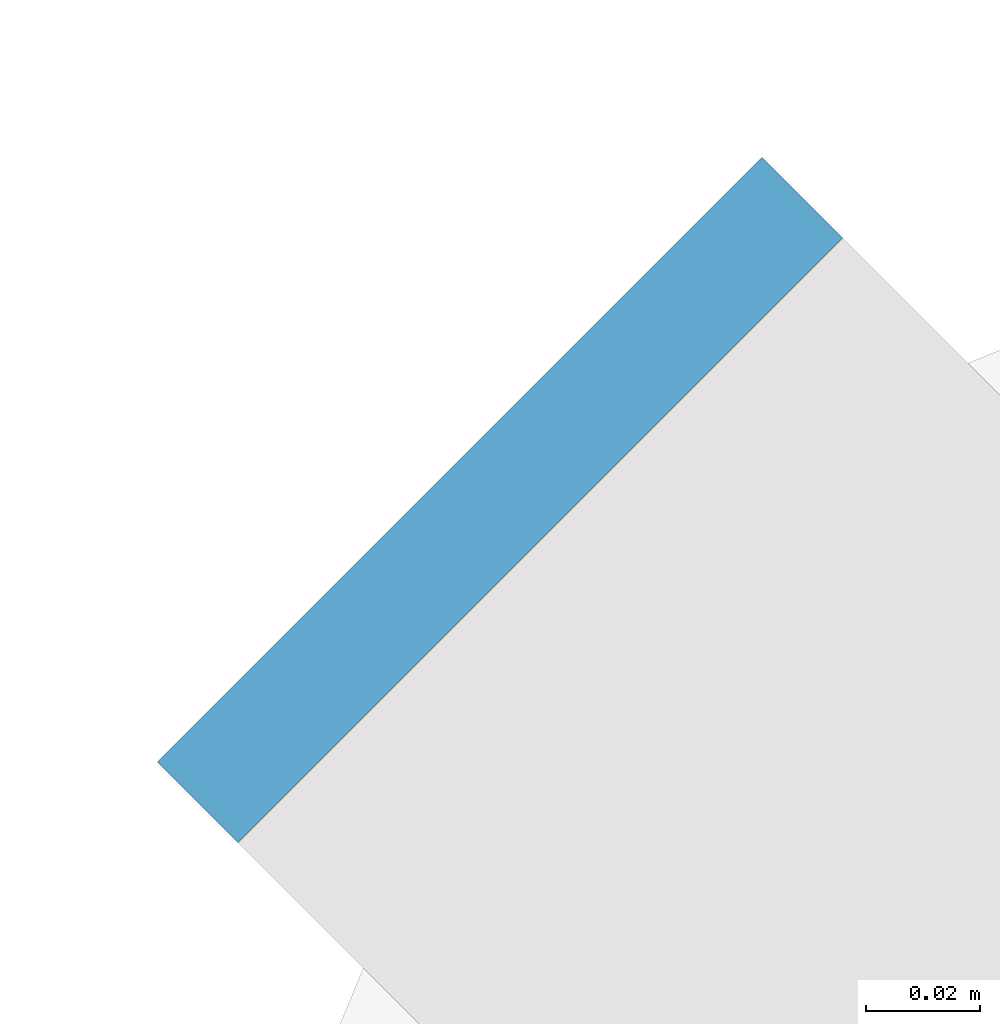
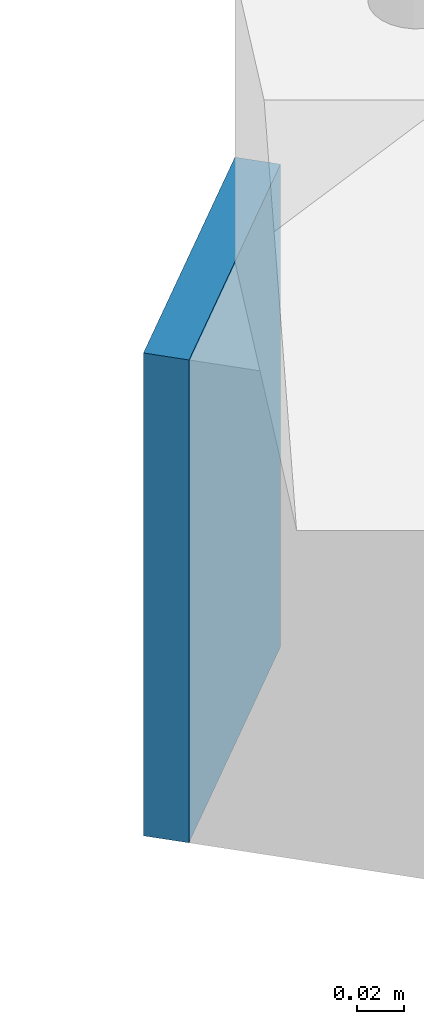
# One storey, part 19 of 28: 1 discrete accessory.
"""IFC4 building model written with IfcOpenShell, lengths in metres."""

from ifc_helpers import new_model, si_unit, direction, frame, origin, origin_2d, place, context, subcontext, project, spatial, rectangle, extrude, material, layer, layer_set, type_object, element, save


model = new_model("IFC4")

# Units and contexts
model_context = context("Model", 3, precision=1e-05, world=origin(), true_north=direction((0.0, 1.0)))
body_context = subcontext(model_context, "Body", "Model", "MODEL_VIEW")
ifc_project = project(units=[si_unit("LENGTHUNIT", "METRE"), si_unit("AREAUNIT", "SQUARE_METRE"), si_unit("VOLUMEUNIT", "CUBIC_METRE"), si_unit("PLANEANGLEUNIT", "RADIAN"), si_unit("MASSUNIT", "GRAM", prefix="KILO")], contexts=[model_context])

# Site, building, storey
site_placement = place(None, origin())
site = spatial("IfcSite", under=ifc_project, at=site_placement, CompositionType="ELEMENT")
building_placement = place(site_placement, origin())
building = spatial("IfcBuilding", under=site, at=building_placement, Name="Siwar Civic Tower", CompositionType="ELEMENT")
storey_placement = place(building_placement, frame((0.0, 0.0, 85.199951171875)))
storey = spatial("IfcBuildingStorey", under=building, at=storey_placement, Name="L18", CompositionType="ELEMENT", Elevation=85.199951171875)

# Discrete accessory
ifc_material = material(Name="Steel S355", Category="steel")
ifc_layer = layer(ifc_material, 0.02001953125)
ifc_layer_set = layer_set([ifc_layer], Name="Steel S355")
discrete_accessory_type = type_object("IfcDiscreteAccessoryType", Name="STR-END-CAP", PredefinedType="USERDEFINED", material=ifc_layer_set)
discrete_accessory_placement = place(storey_placement, frame((-30.478271484375, 30.478271484375, -0.39990234375), z_axis=(0.0, 0.0, 1.0), x_axis=(-0.707106781187, 0.707106781187, 0.0)))
element("IfcDiscreteAccessory", 1, at=discrete_accessory_placement, inside=storey, type_object=discrete_accessory_type, Name="End cap plate Balcony cantilever beam NW 2", ObjectType="END CAP PLATE", PredefinedType="USERDEFINED", context=body_context, shape_type="SweptSolid", body=[
    extrude(rectangle(XDim=0.02001953125, YDim=0.14990234375, at=origin_2d()), origin(), (0.0, 0.0, 1.0), 0.25),
])

save(model, "model.ifc")
